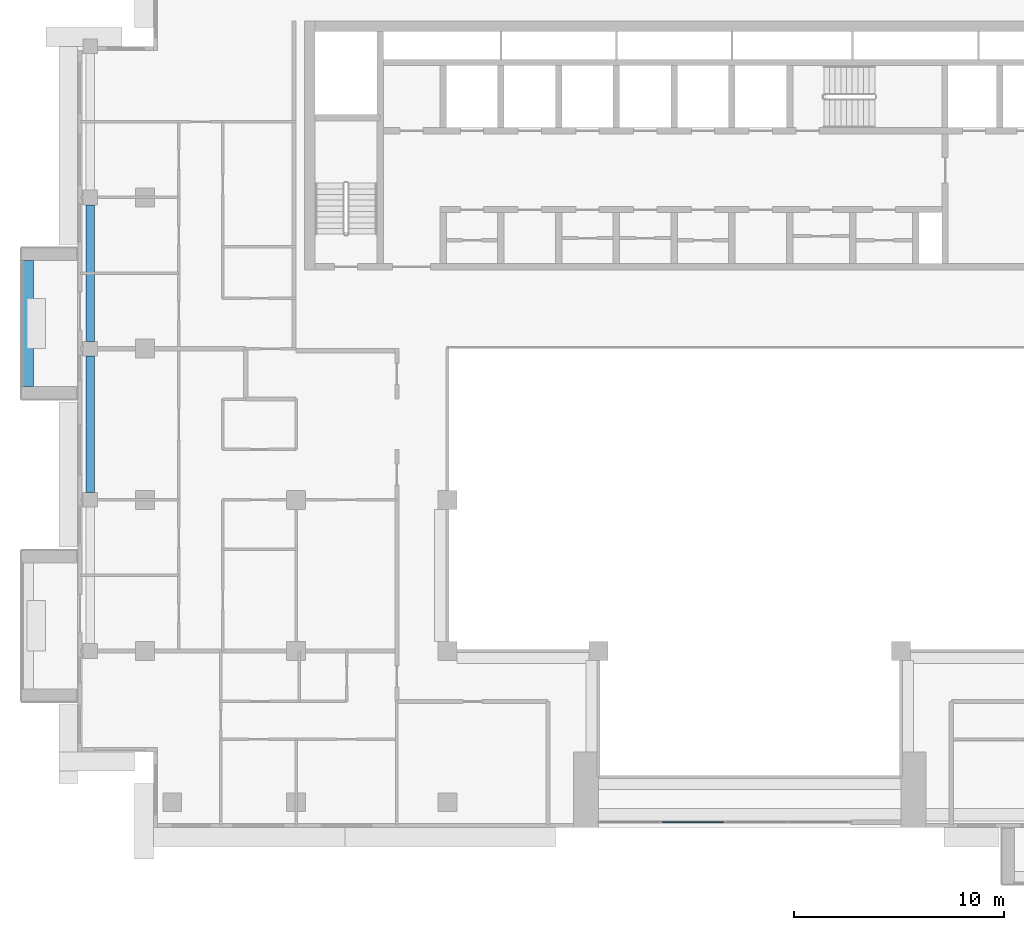
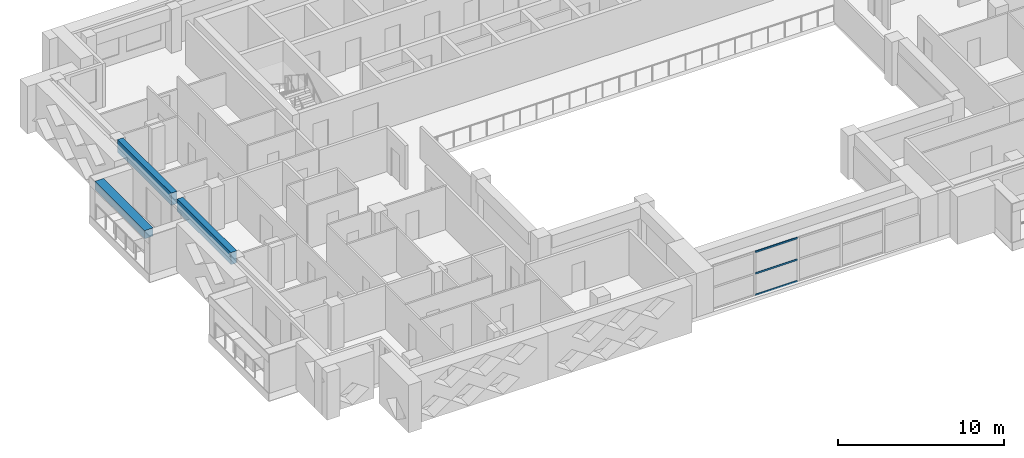
# One storey, part 3 of 19: 3 beams, 3 members, 1 element without a shape of its own.
"""IFC4 building model written with IfcOpenShell, lengths in metres."""

from ifc_helpers import new_model, si_unit, direction, frame, origin, origin_2d, place, context, subcontext, project, spatial, rectangle, extrude, source, transform, mapped, material, layer, layer_set, material_profile, profile_set, type_object, element, aggregate, save


model = new_model("IFC4")

# Units and contexts
model_context = context("Model", 3, precision=1e-05, world=origin(), true_north=direction((0.0, 1.0)))
body_context = subcontext(model_context, "Body", "Model", "MODEL_VIEW")
ifc_project = project(units=[si_unit("LENGTHUNIT", "METRE"), si_unit("AREAUNIT", "SQUARE_METRE"), si_unit("VOLUMEUNIT", "CUBIC_METRE"), si_unit("PLANEANGLEUNIT", "RADIAN"), si_unit("MASSUNIT", "GRAM", prefix="KILO")], contexts=[model_context])

# Site, building, storey
site_placement = place(None, origin())
site = spatial("IfcSite", under=ifc_project, at=site_placement, CompositionType="ELEMENT")
building_placement = place(site_placement, origin())
building = spatial("IfcBuilding", under=site, at=building_placement, Name="Saffron Iwan Residences", CompositionType="ELEMENT")
storey_placement = place(building_placement, frame((0.0, 0.0, 229.0)))
storey = spatial("IfcBuildingStorey", under=building, at=storey_placement, Name="L61", CompositionType="ELEMENT", Elevation=229.0)

# Beams
ifc_material_1 = material(Name="Concrete C40/50", Category="concrete")
ifc_material_profile_1 = material_profile(ifc_material_1, rectangle(XDim=0.39990234375, YDim=0.89990234375, at=origin_2d()), Name="RC 400x900")
ifc_profile_set_1 = profile_set([ifc_material_profile_1], Name="Concrete C40/50")
beam_type_1 = type_object("IfcBeamType", Name="SPANDREL BEAM RC 400x900 C40/50 TOP 3220", PredefinedType="SPANDREL", material=ifc_profile_set_1)
shared_shape_1 = source(origin(), body_context, "Body", "SweptSolid", [
    extrude(rectangle(XDim=0.39990234375, YDim=0.89990234375, at=origin_2d()), origin(), (0.0, 0.0, 1.0), 6.5),
])
for number, where, z_axis, x_axis, name in (
    (1, (19.0, 55.550048828125, 2.77001953125), (0.0, 1.0, 0.0), (-1.0, 0.0, 0.0), "Spandrel beam"),
    (2, (19.0, 62.75, 2.77001953125), (0.0, 1.0, 0.0), (-1.0, 0.0, 0.0), "Spandrel beam"),
):
    element("IfcBeam", number, at=place(storey_placement, frame(where, z_axis=z_axis, x_axis=x_axis)), inside=storey, type_object=beam_type_1, Name=name, PredefinedType="SPANDREL", context=body_context, shape_type="MappedRepresentation", body=[
        mapped(shared_shape_1, transform((0.0, 0.0, 0.0))),
    ])

# Curtain wall, members
ifc_material_2 = material(Name="Clear glass, laminated double glazed", Category="glass")
ifc_layer = layer(ifc_material_2, 0.199951171875)
ifc_layer_set = layer_set([ifc_layer], Name="Clear glass, laminated double glazed")
curtain_wall_type = type_object("IfcCurtainWallType", Name="CW-B IWAN PORTAL", PredefinedType="NOTDEFINED", material=ifc_layer_set)
curtain_wall_placement = place(storey_placement, origin())
curtain_wall = element("IfcCurtainWall", 3, at=curtain_wall_placement, inside=storey, type_object=curtain_wall_type, Name="Iwan portal glazing L61.1", PredefinedType="NOTDEFINED")
ifc_material_3 = material(Name="Aluminium 6063-T6", Category="aluminium")
ifc_material_profile_2 = material_profile(ifc_material_3, rectangle(XDim=0.06005859375, YDim=0.1201171875, at=origin_2d()), Name="CW-B TRANSOM 60 x 120")
ifc_profile_set_2 = profile_set([ifc_material_profile_2], Name="Aluminium 6063-T6")
member_type = type_object("IfcMemberType", Name="CW-B TRANSOM 60 x 120", PredefinedType="USERDEFINED", material=ifc_profile_set_2)
shared_shape_2 = source(origin(), body_context, "Body", "SweptSolid", [
    extrude(rectangle(XDim=0.06005859375, YDim=0.1201171875, at=origin_2d()), origin(), (0.0, 0.0, 1.0), 2.93994140625),
])
member_1_placement = place(storey_placement, frame((46.22998046875, 39.85009765625, 0.030029296875), z_axis=(1.0, 0.0, 0.0), x_axis=(0.0, 1.0, 0.0)))
member_1 = element("IfcMember", 4, at=member_1_placement, type_object=member_type, Name="CW-B transom 2.1", ObjectType="TRANSOM", PredefinedType="USERDEFINED", context=body_context, shape_type="MappedRepresentation", body=[
    mapped(shared_shape_2, transform((0.0, 0.0, 0.0))),
])
member_2_placement = place(storey_placement, frame((46.22998046875, 39.85009765625, 1.610107421875), z_axis=(1.0, 0.0, 0.0), x_axis=(0.0, 1.0, 0.0)))
member_2 = element("IfcMember", 5, at=member_2_placement, type_object=member_type, Name="CW-B transom 2.2", ObjectType="TRANSOM", PredefinedType="USERDEFINED", context=body_context, shape_type="MappedRepresentation", body=[
    mapped(shared_shape_2, transform((0.0, 0.0, 0.0))),
])
member_3_placement = place(storey_placement, frame((46.22998046875, 39.85009765625, 3.18994140625), z_axis=(1.0, 0.0, 0.0), x_axis=(0.0, 1.0, 0.0)))
member_3 = element("IfcMember", 6, at=member_3_placement, type_object=member_type, Name="CW-B transom 2.3", ObjectType="TRANSOM", PredefinedType="USERDEFINED", context=body_context, shape_type="MappedRepresentation", body=[
    mapped(shared_shape_2, transform((0.0, 0.0, 0.0))),
])
aggregate(curtain_wall, [member_1, member_2, member_3])

# Beam
ifc_material_4 = material(Name="Concrete C50/60 white painted", Category="concrete")
ifc_material_profile_3 = material_profile(ifc_material_4, rectangle(XDim=0.60009765625, YDim=0.60009765625, at=origin_2d()), Name="BALCONY FASCIA BEAM 600 x 600")
ifc_profile_set_3 = profile_set([ifc_material_profile_3], Name="Concrete C50/60 white painted")
beam_type_2 = type_object("IfcBeamType", Name="BALCONY FASCIA BEAM 600 x 600", PredefinedType="BEAM", material=ifc_profile_set_3)
shared_shape_3 = source(origin(), body_context, "Body", "SweptSolid", [
    extrude(rectangle(XDim=0.60009765625, YDim=0.60009765625, at=origin_2d()), origin(), (0.0, 0.0, 1.0), 6.0),
])
beam_placement = place(storey_placement, frame((16.0, 66.60009765625, 2.550048828125), z_axis=(0.0, -1.0, 0.0), x_axis=(1.0, 0.0, 0.0)))
element("IfcBeam", 7, at=beam_placement, inside=storey, type_object=beam_type_2, Name="Balcony fascia beam L61 F8-0", PredefinedType="BEAM", context=body_context, shape_type="MappedRepresentation", body=[
    mapped(shared_shape_3, transform((0.0, 0.0, 0.0))),
])

save(model, "model.ifc")
